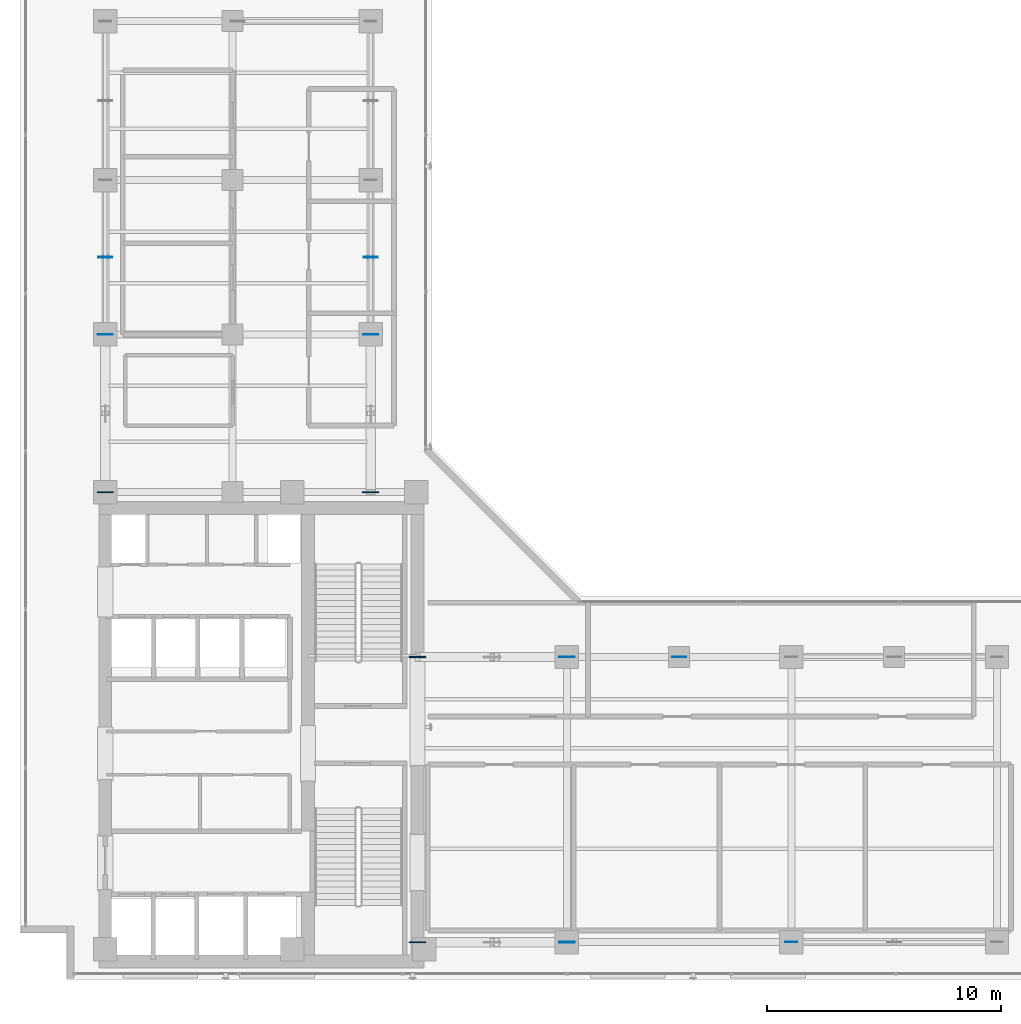
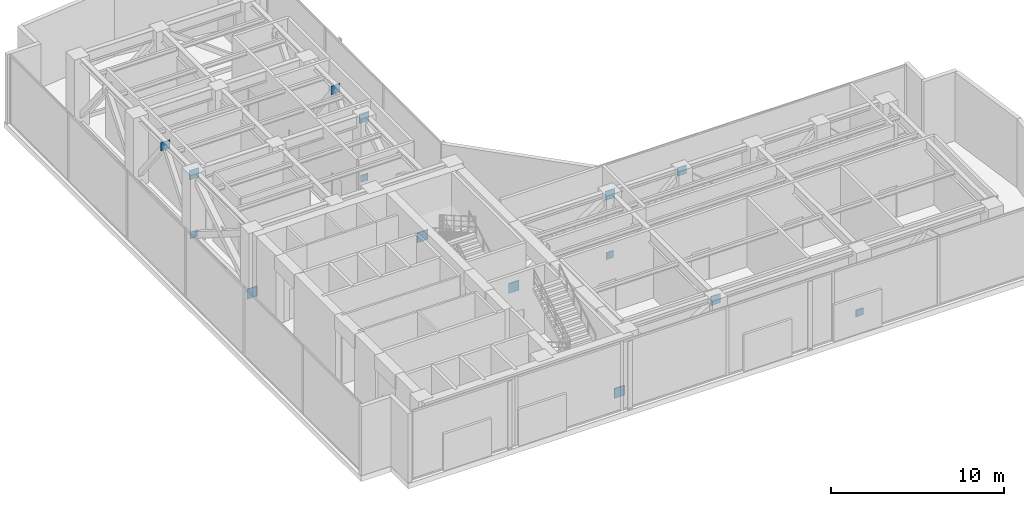
# One storey, part 24 of 31: 15 plates.
"""IFC4 building model written with IfcOpenShell, lengths in metres."""

import ifcopenshell
import ifcopenshell.guid

model = None  # the IFC model being written
_history = None  # IfcOwnerHistory: only IFC2X3 demands one
_inside = {}  # id of a spatial element -> (the spatial element, [elements in it])
_under = {}  # id of a project, library or spatial element -> (it, [spatial elements below it])
_declared = {}  # id of a project -> (the project, [libraries it declares])
_typed = {}  # id of a type object -> (the type object, [elements of that type])
_made_of = {}  # id of a material, layer set ... -> (it, [elements and type objects made of it])


def new_model(schema):
    """Start an empty IFC model of exactly this schema.

    Asked for "IFC4X3", IfcOpenShell would pick the latest addendum, in which some entities
    have other attributes; the version numbers below select the first issue.
    IFC2X3 requires an IfcOwnerHistory on every rooted entity: one is made here for all.
    """
    global model, _history
    if schema == "IFC4X3":
        model = ifcopenshell.file(schema_version=(4, 3, 0, 0))
    else:
        model = ifcopenshell.file(schema=schema)
    _inside.clear()
    _under.clear()
    _declared.clear()
    _typed.clear()
    _made_of.clear()
    _history = None
    if model.schema == "IFC2X3":
        org = make("IfcOrganization", Name="unknown")
        user = make(
            "IfcPersonAndOrganization",
            ThePerson=make("IfcPerson", FamilyName="unknown"),
            TheOrganization=org,
        )
        app = make(
            "IfcApplication",
            ApplicationDeveloper=org,
            Version="unknown",
            ApplicationFullName="unknown",
            ApplicationIdentifier="unknown",
        )
        _history = make(
            "IfcOwnerHistory",
            OwningUser=user,
            OwningApplication=app,
            ChangeAction="ADDED",
            CreationDate=0,
        )
    return model


def make(cls, **values):
    """One entity of the class cls with the attributes given. An attribute that is None is left unset."""
    return model.create_entity(
        cls, **{name: value for name, value in values.items() if value is not None}
    )


def rooted(cls, **values):
    """An entity with a GlobalId (a new one), such as an element, a storey or a relation."""
    return make(cls, GlobalId=ifcopenshell.guid.new(), OwnerHistory=_history, **values)


def si_unit(unit_type, name, prefix=None):
    """IfcSIUnit, for example si_unit("LENGTHUNIT", "METRE", prefix="MILLI")."""
    return make("IfcSIUnit", UnitType=unit_type, Prefix=prefix, Name=name)


def assignment(units):
    """IfcUnitAssignment: the units of a project."""
    return None if units is None else make("IfcUnitAssignment", Units=units)


def point(xyz):
    """IfcCartesianPoint."""
    return None if xyz is None else make("IfcCartesianPoint", Coordinates=xyz)


def direction(xyz):
    """IfcDirection."""
    return None if xyz is None else make("IfcDirection", DirectionRatios=xyz)


def frame(location, z_axis=None, x_axis=None):
    """IfcAxis2Placement3D, a coordinate frame: its origin and axes. An axis left out is left unset."""
    return make(
        "IfcAxis2Placement3D",
        Location=point(location),
        Axis=direction(z_axis),
        RefDirection=direction(x_axis),
    )


def frame_2d(location, x_axis=None):
    """IfcAxis2Placement2D, a coordinate frame in the plane: its origin and x axis."""
    return make(
        "IfcAxis2Placement2D", Location=point(location), RefDirection=direction(x_axis)
    )


def origin():
    """The frame at (0, 0, 0) with its axes left unset."""
    return frame((0.0, 0.0, 0.0))


def origin_with_axes():
    """The frame at (0, 0, 0) with the z axis (0, 0, 1) and the x axis (1, 0, 0) written out."""
    return frame((0.0, 0.0, 0.0), z_axis=(0.0, 0.0, 1.0), x_axis=(1.0, 0.0, 0.0))


def origin_2d():
    """The frame at (0, 0) in the plane with its x axis left unset."""
    return frame_2d((0.0, 0.0))


def place(relative_to, where):
    """IfcLocalPlacement: puts the frame where relative to a parent placement (None: the world)."""
    return make(
        "IfcLocalPlacement", PlacementRelTo=relative_to, RelativePlacement=where
    )


def context(
    kind, dimensions, precision=None, world=None, true_north=None, identifier=None
):
    """IfcGeometricRepresentationContext, for example the 3D "Model" context."""
    return make(
        "IfcGeometricRepresentationContext",
        ContextIdentifier=identifier,
        ContextType=kind,
        CoordinateSpaceDimension=dimensions,
        Precision=precision,
        WorldCoordinateSystem=world,
        TrueNorth=true_north,
    )


def subcontext(parent, identifier, kind, view, scale=None):
    """IfcGeometricRepresentationSubContext, for example "Body" below "Model"."""
    return make(
        "IfcGeometricRepresentationSubContext",
        ContextIdentifier=identifier,
        ContextType=kind,
        ParentContext=parent,
        TargetScale=scale,
        TargetView=view,
    )


def project(units=None, contexts=None):
    """IfcProject with its units and contexts."""
    return rooted(
        "IfcProject",
        Name="project",
        RepresentationContexts=contexts,
        UnitsInContext=assignment(units),
    )


def spatial(cls, under=None, at=None, **own):
    """A site, building, storey or space (cls), placed at a placement, below another one or the project."""
    s = rooted(cls, ObjectPlacement=at, **own)
    if under is not None:
        _under.setdefault(under.id(), (under, []))[1].append(s)
    return s


def profile(cls, at=None, kind="AREA", **sizes):
    """A parametric profile (cls). Its sizes go by their IFC names, for example OverallWidth=200.0."""
    return make(cls, ProfileType=kind, Position=at, **sizes)


def rectangle(**sizes):
    """IfcRectangleProfileDef."""
    return profile("IfcRectangleProfileDef", **sizes)


def extrude(swept, where, along, depth):
    """IfcExtrudedAreaSolid: the profile swept, set in the frame where, extruded along a direction by depth."""
    return make(
        "IfcExtrudedAreaSolid",
        SweptArea=swept,
        Position=where,
        ExtrudedDirection=direction(along),
        Depth=depth,
    )


def shape(context_of_items, identifier, shape_type, items):
    """IfcShapeRepresentation: the items that make up one representation, for example the "Body"."""
    return make(
        "IfcShapeRepresentation",
        ContextOfItems=context_of_items,
        RepresentationIdentifier=identifier,
        RepresentationType=shape_type,
        Items=items,
    )


def source(mapping_origin, context_of_items, identifier, shape_type, items):
    """IfcRepresentationMap: a shape defined once, which mapped items show again and again."""
    return make(
        "IfcRepresentationMap",
        MappingOrigin=mapping_origin,
        MappedRepresentation=shape(context_of_items, identifier, shape_type, items),
    )


def transform(
    local_origin,
    x_axis=None,
    y_axis=None,
    z_axis=None,
    scale=None,
    scale2=None,
    scale3=None,
    uniform=True,
):
    """IfcCartesianTransformationOperator3D, or its non-uniform kind. x_axis, y_axis, z_axis: its Axis1, 2, 3."""
    if uniform:
        return make(
            "IfcCartesianTransformationOperator3D",
            Axis1=direction(x_axis),
            Axis2=direction(y_axis),
            LocalOrigin=point(local_origin),
            Scale=scale,
            Axis3=direction(z_axis),
        )
    return make(
        "IfcCartesianTransformationOperator3DnonUniform",
        Axis1=direction(x_axis),
        Axis2=direction(y_axis),
        LocalOrigin=point(local_origin),
        Scale=scale,
        Axis3=direction(z_axis),
        Scale2=scale2,
        Scale3=scale3,
    )


def mapped(mapping_source, mapping_target):
    """IfcMappedItem: shows the shape of a source again, moved by a transform."""
    return make(
        "IfcMappedItem", MappingSource=mapping_source, MappingTarget=mapping_target
    )


def material(Name=None, Category=None):
    """IfcMaterial."""
    return make("IfcMaterial", Name=Name, Category=Category)


def layer(
    of_material, thickness, ventilated=None, Name=None, Category=None, Priority=None
):
    """IfcMaterialLayer: one layer of a wall or slab, of a material (None: an air gap)."""
    return make(
        "IfcMaterialLayer",
        Material=of_material,
        LayerThickness=thickness,
        IsVentilated=ventilated,
        Name=Name,
        Category=Category,
        Priority=Priority,
    )


def layer_set(layers, Name=None):
    """IfcMaterialLayerSet."""
    return make("IfcMaterialLayerSet", MaterialLayers=layers, LayerSetName=Name)


def made_of(thing, what):
    """Note that an element or type object is made of a material, layer set ...; save() writes the relation."""
    if what is not None:
        _made_of.setdefault(what.id(), (what, []))[1].append(thing)
    return thing


def type_object(cls, material=None, **own):
    """A type object (cls), such as IfcWallType, which elements share."""
    return made_of(rooted(cls, **own), material)


def element(
    cls,
    number,
    at=None,
    inside=None,
    cuts=None,
    type_object=None,
    material=None,
    context=None,
    identifier="Body",
    shape_type=None,
    held_by="IfcProductDefinitionShape",
    body=None,
    shapes=None,
    **own,
):
    """One element of the class cls, such as IfcWall. Its Tag is "e" and its number.

    at: its placement. inside: the storey or other place that contains it. cuts: it is an
    opening in that element (IfcRelVoidsElement). A single representation is given by context,
    identifier, shape_type and body (its items); several are given by shapes. held_by: the class
    of the entity that holds the representations. save() writes the other relations.
    """
    e = rooted(cls, Tag="e%d" % number, ObjectPlacement=at, **own)
    if body is not None:
        shapes = [shape(context, identifier, shape_type, body)]
    if shapes is not None:
        e.Representation = make(held_by, Representations=shapes)
    if inside is not None:
        _inside.setdefault(inside.id(), (inside, []))[1].append(e)
    if cuts is not None:
        rooted(
            "IfcRelVoidsElement", RelatingBuildingElement=cuts, RelatedOpeningElement=e
        )
    if type_object is not None:
        _typed.setdefault(type_object.id(), (type_object, []))[1].append(e)
    return made_of(e, material)


def aggregate(whole, parts):
    """IfcRelAggregates: a whole, such as a stair, and the parts it consists of."""
    return rooted("IfcRelAggregates", RelatingObject=whole, RelatedObjects=parts)


def save(model, path):
    """Write the relations noted so far, then the file.

    IfcRelAggregates (storeys below a building ...), IfcRelContainedInSpatialStructure (elements
    in a storey), IfcRelDefinesByType, IfcRelAssociatesMaterial and IfcRelDeclares: one each for
    every whole, place, type object, material and project.
    """
    for whole, parts in _under.values():
        aggregate(whole, parts)
    for where, things in _inside.values():
        rooted(
            "IfcRelContainedInSpatialStructure",
            RelatedElements=things,
            RelatingStructure=where,
        )
    for kind, things in _typed.values():
        rooted("IfcRelDefinesByType", RelatedObjects=things, RelatingType=kind)
    for what, things in _made_of.values():
        rooted("IfcRelAssociatesMaterial", RelatedObjects=things, RelatingMaterial=what)
    for by, libraries in _declared.values():
        rooted("IfcRelDeclares", RelatingContext=by, RelatedDefinitions=libraries)
    model.write(path)


model = new_model("IFC4")

# Units and contexts
model_context = context("Model", 3, precision=1e-05, world=origin(), true_north=direction((0.0, 1.0)))
body_context = subcontext(model_context, "Body", "Model", "MODEL_VIEW")
ifc_project = project(units=[si_unit("LENGTHUNIT", "METRE"), si_unit("AREAUNIT", "SQUARE_METRE"), si_unit("VOLUMEUNIT", "CUBIC_METRE"), si_unit("PLANEANGLEUNIT", "RADIAN"), si_unit("MASSUNIT", "GRAM", prefix="KILO")], contexts=[model_context])

# Site, building, storey
site_placement = place(None, origin())
site = spatial("IfcSite", under=ifc_project, at=site_placement, CompositionType="ELEMENT")
building_placement = place(site_placement, origin())
building = spatial("IfcBuilding", under=site, at=building_placement, Name="Kolvaren Waterfront Exchange", CompositionType="ELEMENT")
storey_placement = place(building_placement, frame((0.0, 0.0, 257.699951171875)))
storey = spatial("IfcBuildingStorey", under=building, at=storey_placement, Name="L66", CompositionType="ELEMENT", Elevation=257.699951171875)

# Plates
ifc_material_1 = material(Name="Steel S460", Category="steel")
ifc_layer_1 = layer(ifc_material_1, 0.044921875, Name="Steel S460")
ifc_layer_set_1 = layer_set([ifc_layer_1], Name="Steel S460")
plate_type_1 = type_object("IfcPlateType", Name="STR-PL-ON1", PredefinedType="USERDEFINED", material=ifc_layer_set_1)
shared_shape_1 = source(origin_with_axes(), body_context, "Body", "SweptSolid", [
    extrude(rectangle(XDim=0.699951171875, YDim=0.044921875, at=origin_2d()), origin(), (0.0, 0.0, 1.0), 0.699951171875),
])
for number, where, z_axis, x_axis, name in (
    (1, (20.800048828125, 5.199951171875, -0.10009765625), (0.0, 0.0, 1.0), (1.0, 0.0, 0.0), "L66 outrigger core gusset plate OA1"),
    (2, (20.800048828125, 17.39990234375, -0.10009765625), (0.0, 0.0, 1.0), (1.0, 0.0, 0.0), "L66 outrigger core gusset plate OA2"),
    (3, (7.449951171875, 24.449951171875, -0.10009765625), (0.0, 0.0, 1.0), (1.0, 0.0, 0.0), "L66 outrigger core gusset plate OA3"),
    (4, (18.800048828125, 24.449951171875, -0.10009765625), (0.0, 0.0, 1.0), (1.0, 0.0, 0.0), "L66 outrigger core gusset plate OA4"),
):
    element("IfcPlate", number, at=place(storey_placement, frame(where, z_axis=z_axis, x_axis=x_axis)), inside=storey, type_object=plate_type_1, Name=name, ObjectType="GUSSET PLATE", PredefinedType="USERDEFINED", context=body_context, shape_type="MappedRepresentation", body=[
        mapped(shared_shape_1, transform((0.0, 0.0, 0.0), x_axis=(1.0, 0.0, 0.0), y_axis=(0.0, 1.0, 0.0), z_axis=(0.0, 0.0, 1.0), scale=1.0)),
    ])
ifc_layer_2 = layer(ifc_material_1, 0.031982421875, Name="Steel S460")
ifc_layer_set_2 = layer_set([ifc_layer_2], Name="Steel S460")
plate_type_2 = type_object("IfcPlateType", Name="STR-PL-ON2", PredefinedType="USERDEFINED", material=ifc_layer_set_2)
shared_shape_2 = source(origin_with_axes(), body_context, "Body", "SweptSolid", [
    extrude(rectangle(XDim=0.64990234375, YDim=0.031982421875, at=origin_2d()), origin(), (0.0, 0.0, 1.0), 0.64990234375),
])
for number, where, z_axis, x_axis, name in (
    (5, (27.199951171875, 5.199951171875, 4.18505859375), (0.0, 0.0, 1.0), (1.0, 0.0, 0.0), "L66 outrigger perimeter cap plate OA1"),
    (6, (27.199951171875, 17.39990234375, 4.18505859375), (0.0, 0.0, 1.0), (1.0, 0.0, 0.0), "L66 outrigger perimeter cap plate OA2"),
    (7, (7.449951171875, 31.199951171875, 4.18505859375), (0.0, 0.0, 1.0), (1.0, 0.0, 0.0), "L66 outrigger perimeter cap plate OA3"),
    (8, (18.800048828125, 31.199951171875, 4.18505859375), (0.0, 0.0, 1.0), (1.0, 0.0, 0.0), "L66 outrigger perimeter cap plate OA4"),
):
    element("IfcPlate", number, at=place(storey_placement, frame(where, z_axis=z_axis, x_axis=x_axis)), inside=storey, type_object=plate_type_2, Name=name, ObjectType="GUSSET PLATE", PredefinedType="USERDEFINED", context=body_context, shape_type="MappedRepresentation", body=[
        mapped(shared_shape_2, transform((0.0, 0.0, 0.0), x_axis=(1.0, 0.0, 0.0), y_axis=(0.0, 1.0, 0.0), z_axis=(0.0, 0.0, 1.0), scale=1.0)),
    ])
ifc_layer_3 = layer(ifc_material_1, 0.030029296875, Name="Steel S460")
ifc_layer_set_3 = layer_set([ifc_layer_3], Name="Steel S460")
plate_type_3 = type_object("IfcPlateType", Name="STR-PL-BN1", PredefinedType="SHEET", material=ifc_layer_set_3)
shared_shape_3 = source(origin_with_axes(), body_context, "Body", "SweptSolid", [
    extrude(rectangle(XDim=0.60009765625, YDim=0.030029296875, at=origin_2d()), origin(), (0.0, 0.0, 1.0), 0.60009765625),
])
for number, where, z_axis, x_axis, name in (
    (9, (32.0, 17.39990234375, 4.2099609375), (0.0, 0.0, 1.0), (1.0, 0.0, 0.0), "L66 belt-truss chevron apex gusset BT1"),
    (10, (7.449951171875, 34.5, 4.2099609375), (0.0, 0.0, 1.0), (1.0, 0.0, 0.0), "L66 belt-truss chevron apex gusset BT4"),
    (11, (18.800048828125, 34.5, 4.2099609375), (0.0, 0.0, 1.0), (1.0, 0.0, 0.0), "L66 belt-truss chevron apex gusset BT6"),
):
    element("IfcPlate", number, at=place(storey_placement, frame(where, z_axis=z_axis, x_axis=x_axis)), inside=storey, type_object=plate_type_3, Name=name, PredefinedType="SHEET", context=body_context, shape_type="MappedRepresentation", body=[
        mapped(shared_shape_3, transform((0.0, 0.0, 0.0), x_axis=(1.0, 0.0, 0.0), y_axis=(0.0, 1.0, 0.0), z_axis=(0.0, 0.0, 1.0), scale=1.0)),
    ])
ifc_material_2 = material(Name="Steel S355", Category="steel")
ifc_layer_4 = layer(ifc_material_2, 0.02490234375, Name="Steel S355")
ifc_layer_set_4 = layer_set([ifc_layer_4], Name="Steel S355")
plate_type_4 = type_object("IfcPlateType", Name="STR-PL-BN2", PredefinedType="SHEET", material=ifc_layer_set_4)
shared_shape_4 = source(origin_with_axes(), body_context, "Body", "SweptSolid", [
    extrude(rectangle(XDim=0.5, YDim=0.02490234375, at=origin_2d()), origin(), (0.0, 0.0, 1.0), 0.5),
])
for number, where, z_axis, x_axis, name in (
    (12, (27.199951171875, 17.39990234375, 0.0), (0.0, 0.0, 1.0), (1.0, 0.0, 0.0), "L66 belt-truss end cap plate BT1.1"),
    (13, (36.800048828125, 5.199951171875, 0.0), (0.0, 0.0, 1.0), (1.0, 0.0, 0.0), "L66 belt-truss end cap plate BT3.1"),
    (14, (7.449951171875, 31.199951171875, 0.0), (0.0, 0.0, 1.0), (1.0, 0.0, 0.0), "L66 belt-truss end cap plate BT4.1"),
    (15, (18.800048828125, 31.199951171875, 0.0), (0.0, 0.0, 1.0), (1.0, 0.0, 0.0), "L66 belt-truss end cap plate BT6.1"),
):
    element("IfcPlate", number, at=place(storey_placement, frame(where, z_axis=z_axis, x_axis=x_axis)), inside=storey, type_object=plate_type_4, Name=name, PredefinedType="SHEET", context=body_context, shape_type="MappedRepresentation", body=[
        mapped(shared_shape_4, transform((0.0, 0.0, 0.0), x_axis=(1.0, 0.0, 0.0), y_axis=(0.0, 1.0, 0.0), z_axis=(0.0, 0.0, 1.0), scale=1.0)),
    ])

save(model, "model.ifc")
